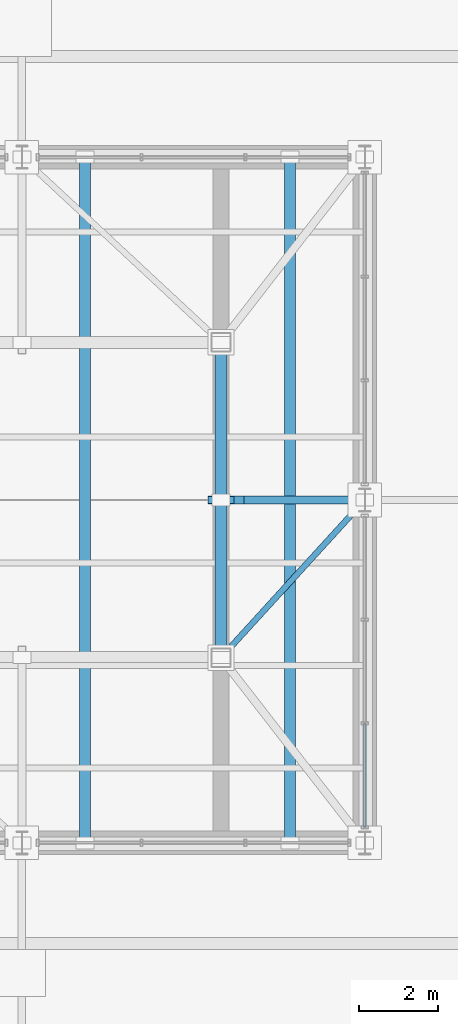
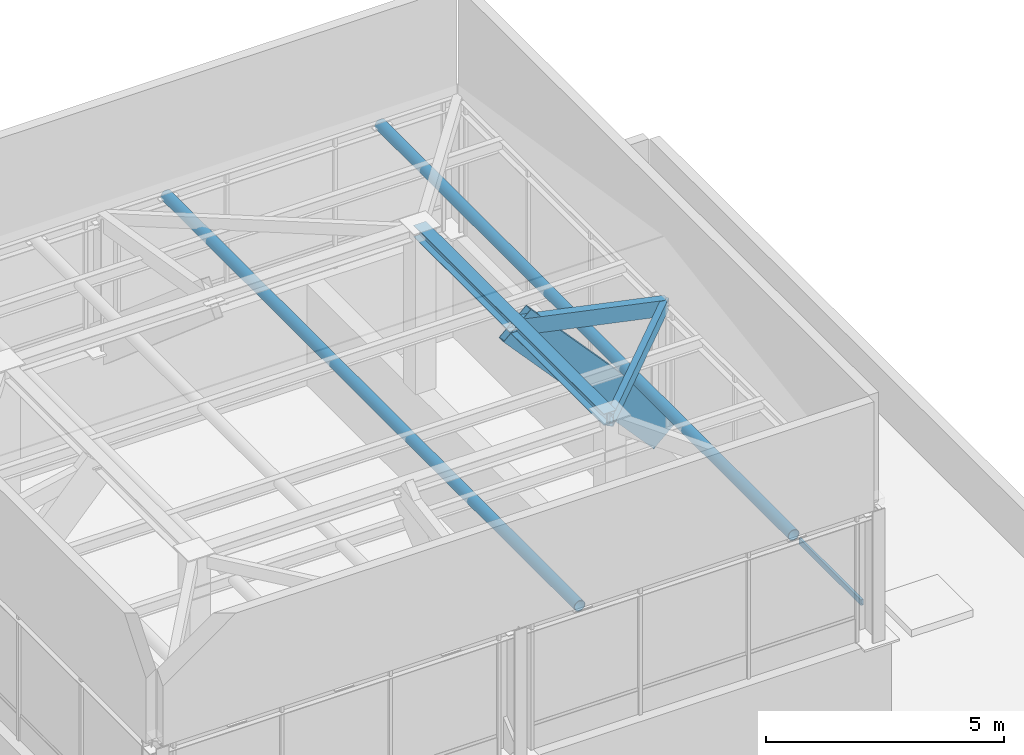
# One storey, part 11 of 22: 5 members, 2 beams, 1 element without a shape of its own.
"""IFC4 building model written with IfcOpenShell, lengths in metres."""

from ifc_helpers import new_model, si_unit, direction, frame, origin, origin_2d, place, context, subcontext, project, spatial, hollow_rectangle, hollow_circle, i_section, extrude, material, layer, layer_set, material_profile, profile_set, type_object, element, aggregate, save


model = new_model("IFC4")

# Units and contexts
model_context = context("Model", 3, precision=1e-05, world=origin(), true_north=direction((0.0, 1.0)))
body_context = subcontext(model_context, "Body", "Model", "MODEL_VIEW")
ifc_project = project(units=[si_unit("LENGTHUNIT", "METRE"), si_unit("AREAUNIT", "SQUARE_METRE"), si_unit("VOLUMEUNIT", "CUBIC_METRE"), si_unit("PLANEANGLEUNIT", "RADIAN"), si_unit("MASSUNIT", "GRAM", prefix="KILO")], contexts=[model_context])

# Site, building, storey
site_placement = place(None, origin())
site = spatial("IfcSite", under=ifc_project, at=site_placement, CompositionType="ELEMENT")
building_placement = place(site_placement, origin())
building = spatial("IfcBuilding", under=site, at=building_placement, Name="Belovzor Exchange Tower", CompositionType="ELEMENT")
storey_placement = place(building_placement, frame((0.0, 0.0, 378.60009765625)))
storey = spatial("IfcBuildingStorey", under=building, at=storey_placement, Name="RF", CompositionType="ELEMENT", Elevation=378.60009765625)

# Beam
ifc_material_1 = material(Name="Steel S355", Category="steel")
ifc_material_profile_1 = material_profile(ifc_material_1, hollow_rectangle(XDim=0.199951171875, YDim=0.39990234375, WallThickness=0.012451171875, at=origin_2d()))
ifc_profile_set_1 = profile_set([ifc_material_profile_1], Name="Steel S355")
beam_type_1 = type_object("IfcBeamType", Name="Crown Faceted Roof Rafter RHS 400x200x12.5", PredefinedType="BEAM", material=ifc_profile_set_1)
beam_1_placement = place(storey_placement, frame((37.5, 28.800048828125, 5.7998046875), z_axis=(-0.978462199953, 0.0, 0.206426072151), x_axis=(0.0, -1.0, 0.0)))
element("IfcBeam", 1, at=beam_1_placement, inside=storey, type_object=beam_type_1, Name="RR-400 Crown Faceted Roof Rafter RHS 400x200x12.5", PredefinedType="BEAM", context=body_context, shape_type="SweptSolid", body=[
    extrude(hollow_rectangle(XDim=0.199951171875, YDim=0.39990234375, WallThickness=0.012451171875, at=origin_2d()), origin(), (0.0, 0.0, 1.0), 3.730224609375),
])

# Members
ifc_material_2 = material(Name="Steel S355", Category="steel")
ifc_material_profile_2 = material_profile(ifc_material_2, hollow_circle(Radius=0.136474609375, WallThickness=0.012451171875, at=origin_2d()))
ifc_profile_set_2 = profile_set([ifc_material_profile_2], Name="Steel S355")
member_type_1 = type_object("IfcMemberType", Name="Crown Lateral Tie Strut CHS 273x12.5", PredefinedType="STRUT", material=ifc_profile_set_2)
for number, where, z_axis, x_axis, name in (
    (2, (30.39990234375, 20.10009765625, 5.849853515625), (0.0, 1.0, 0.0), (-1.0, 0.0, 0.0), "CS-273 Crown Lateral Tie Strut CHS 273x12.5"),
    (3, (35.60009765625, 20.10009765625, 5.849853515625), (0.0, 1.0, 0.0), (-1.0, 0.0, 0.0), "CS-273 Crown Lateral Tie Strut CHS 273x12.5"),
):
    element("IfcMember", number, at=place(storey_placement, frame(where, z_axis=z_axis, x_axis=x_axis)), inside=storey, type_object=member_type_1, Name=name, PredefinedType="STRUT", context=body_context, shape_type="SweptSolid", body=[
        extrude(hollow_circle(Radius=0.136474609375, WallThickness=0.012451171875, at=origin_2d()), origin(), (0.0, 0.0, 1.0), 17.39990234375),
    ])
ifc_material_3 = material(Name="Steel S355", Category="steel")
ifc_material_profile_3 = material_profile(ifc_material_3, hollow_rectangle(XDim=0.14990234375, YDim=0.300048828125, WallThickness=0.010009765625, at=origin_2d()))
ifc_profile_set_3 = profile_set([ifc_material_profile_3], Name="Steel S355")
member_type_2 = type_object("IfcMemberType", Name="Crown Portal Knee Brace RHS 300x150x10", PredefinedType="BRACE", material=ifc_profile_set_3)
member_1_placement = place(storey_placement, frame((37.5, 28.800048828125, 5.849853515625), z_axis=(-0.668160473803, -0.732250247678, 0.131799681421), x_axis=(0.738694342968, -0.674040553429, 0.0)))
element("IfcMember", 4, at=member_1_placement, inside=storey, type_object=member_type_2, Name="CB-220 Crown Portal Knee Brace RHS 300x150x10", PredefinedType="BRACE", context=body_context, shape_type="SweptSolid", body=[
    extrude(hollow_rectangle(XDim=0.14990234375, YDim=0.300048828125, WallThickness=0.010009765625, at=origin_2d()), origin(), (0.0, 0.0, 1.0), 5.462646484375),
])

# Beam
ifc_material_4 = material(Name="Steel S355", Category="steel")
ifc_material_profile_4 = material_profile(ifc_material_4, i_section(OverallWidth=0.300048828125, OverallDepth=0.300048828125, WebThickness=0.008544921875, FlangeThickness=0.013916015625, at=origin_2d()))
ifc_profile_set_4 = profile_set([ifc_material_profile_4], Name="Steel S355")
beam_type_2 = type_object("IfcBeamType", Name="Crown Ring & Trim Beam HEA 300", PredefinedType="BEAM", material=ifc_profile_set_4)
beam_2_placement = place(storey_placement, frame((33.85009765625, 24.800048828125, 6.619873046875), z_axis=(0.0, 1.0, 0.0), x_axis=(-1.0, 0.0, 0.0)))
element("IfcBeam", 5, at=beam_2_placement, inside=storey, type_object=beam_type_2, Name="CB-CR Crown Ring & Trim Beam HEA 300", PredefinedType="BEAM", context=body_context, shape_type="SweptSolid", body=[
    extrude(i_section(OverallWidth=0.300048828125, OverallDepth=0.300048828125, WebThickness=0.008544921875, FlangeThickness=0.013916015625, at=origin_2d()), origin(), (0.0, 0.0, 1.0), 8.0),
])

# Member
ifc_material_5 = material(Name="Extruded Architectural Terracotta on Steel S355 Carrier", Category="masonry")
ifc_material_profile_5 = material_profile(ifc_material_5, hollow_rectangle(XDim=0.199951171875, YDim=0.89990234375, WallThickness=0.011962890625, at=origin_2d()))
ifc_profile_set_5 = profile_set([ifc_material_profile_5], Name="Extruded Architectural Terracotta on Steel S355 Carrier")
member_type_3 = type_object("IfcMemberType", Name="Sweeping Terracotta Baguette Fin Assembly 1250", PredefinedType="USERDEFINED", material=ifc_profile_set_5)
member_2_placement = place(storey_placement, frame((37.5, 28.800048828125, 2.599853515625), z_axis=(-0.672202678985, 0.0, 0.740367178071), x_axis=(0.0, -1.0, 0.0)))
element("IfcMember", 6, at=member_2_placement, inside=storey, type_object=member_type_3, Name="FIN-TC125 Raked Crown Speed Pylon E", ObjectType="FIN", PredefinedType="USERDEFINED", context=body_context, shape_type="SweptSolid", body=[
    extrude(hollow_rectangle(XDim=0.199951171875, YDim=0.89990234375, WallThickness=0.011962890625, at=origin_2d()), origin(), (0.0, 0.0, 1.0), 5.4296875),
])

# Curtain wall, member
ifc_material_6 = material(Name="Anodised Aluminium Framing", Category="aluminium")
ifc_layer = layer(ifc_material_6, 0.169921875)
ifc_layer_set = layer_set([ifc_layer], Name="Anodised Aluminium Framing")
curtain_wall_type = type_object("IfcCurtainWallType", Name="Stepped Crown Faceted Lantern Curtain Wall", PredefinedType="NOTDEFINED", material=ifc_layer_set)
curtain_wall_placement = place(storey_placement, origin())
curtain_wall = element("IfcCurtainWall", 7, at=curtain_wall_placement, inside=storey, type_object=curtain_wall_type, Name="CW6 Stepped Crown Faceted Lantern Curtain Wall RF", PredefinedType="NOTDEFINED")
ifc_material_7 = material(Name="Steel S355", Category="steel")
ifc_material_profile_6 = material_profile(ifc_material_7, hollow_rectangle(XDim=0.06005859375, YDim=0.14990234375, WallThickness=0.00390625, at=origin_2d()))
ifc_profile_set_6 = profile_set([ifc_material_profile_6], Name="Steel S355")
member_type_4 = type_object("IfcMemberType", Name="Thermally Broken Curtain Wall Transom 150x60", PredefinedType="USERDEFINED", material=ifc_profile_set_6)
member_3_placement = place(storey_placement, frame((37.5, 23.125, 3.202880859375), z_axis=(0.0, -1.0, 0.0), x_axis=(1.0, 0.0, 0.0)))
member_3 = element("IfcMember", 8, at=member_3_placement, type_object=member_type_4, Name="CW-T150 Curtain Wall Transom 3", ObjectType="TRANSOM", PredefinedType="USERDEFINED", context=body_context, shape_type="SweptSolid", body=[
    extrude(hollow_rectangle(XDim=0.06005859375, YDim=0.14990234375, WallThickness=0.00390625, at=origin_2d()), origin(), (0.0, 0.0, 1.0), 2.616943359375),
])
aggregate(curtain_wall, [member_3])

save(model, "model.ifc")
